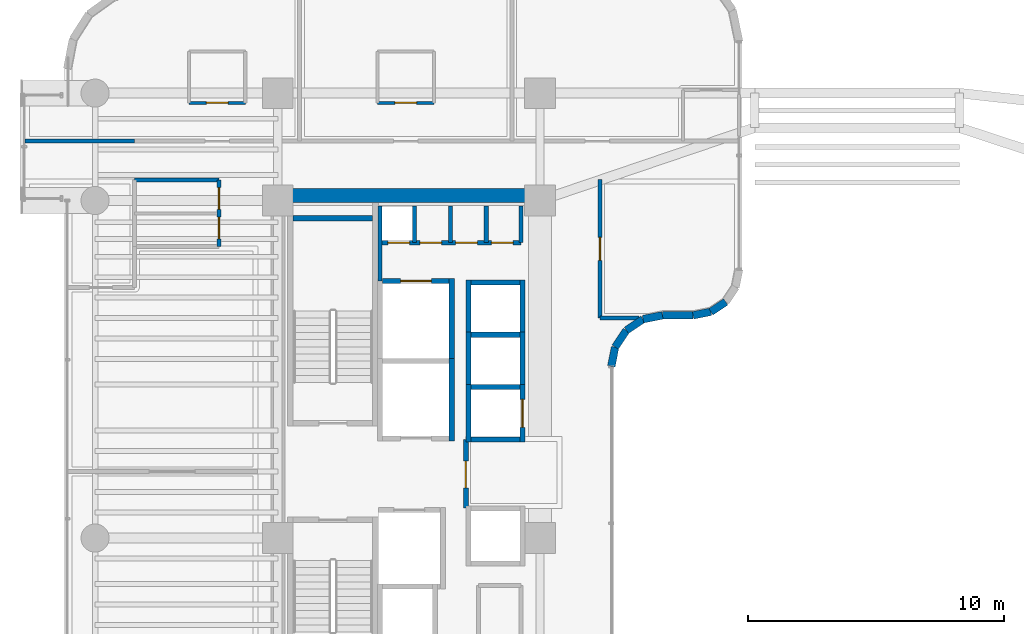
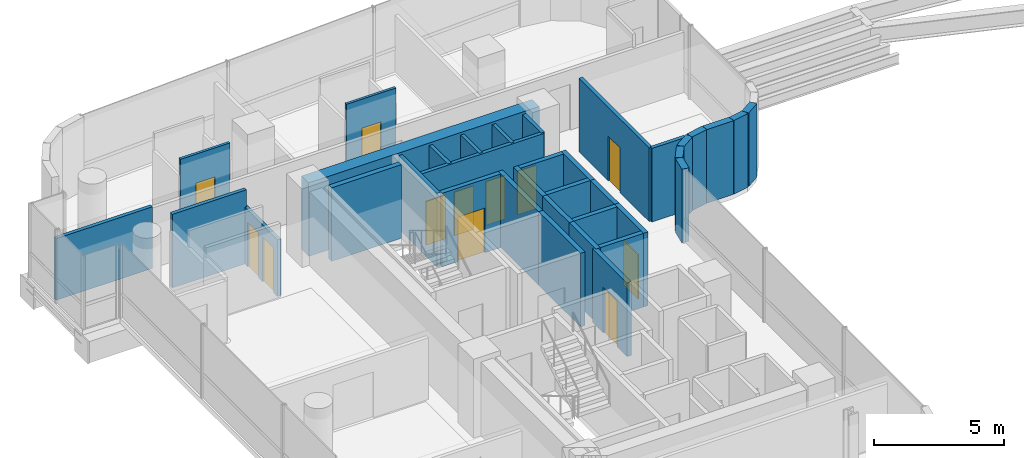
# One storey, part 29 of 36: 36 walls, 12 doors, 12 openings.
"""IFC4 building model written with IfcOpenShell, lengths in metres."""

from ifc_helpers import new_model, si_unit, direction, frame, frame_2d, origin, place, context, subcontext, project, spatial, rectangle, extrude, material, layer, layer_set, type_object, element, fill, save


model = new_model("IFC4")

# Units and contexts
model_context = context("Model", 3, precision=1e-05, world=origin(), true_north=direction((0.0, 1.0)))
body_context = subcontext(model_context, "Body", "Model", "MODEL_VIEW")
ifc_project = project(units=[si_unit("LENGTHUNIT", "METRE"), si_unit("AREAUNIT", "SQUARE_METRE"), si_unit("VOLUMEUNIT", "CUBIC_METRE"), si_unit("PLANEANGLEUNIT", "RADIAN"), si_unit("MASSUNIT", "GRAM", prefix="KILO")], contexts=[model_context])

# Site, building, storey
site_placement = place(None, origin())
site = spatial("IfcSite", under=ifc_project, at=site_placement, CompositionType="ELEMENT")
building_placement = place(site_placement, origin())
building = spatial("IfcBuilding", under=site, at=building_placement, Name="Valdorenza Pilgrim Sanctuary Tower", CompositionType="ELEMENT")
storey_placement = place(building_placement, frame((0.0, 0.0, 153.800048828125)))
storey = spatial("IfcBuildingStorey", under=building, at=storey_placement, Name="L39", CompositionType="ELEMENT", Elevation=153.800048828125)

# Wall
ifc_material_1 = material(Name="Acoustic twin-stud gypsum partition", Category="gypsum")
ifc_layer_1 = layer(ifc_material_1, 0.159912109375, Name="Acoustic twin-stud gypsum partition")
ifc_layer_set_1 = layer_set([ifc_layer_1], Name="Acoustic twin-stud gypsum partition")
wall_type_1 = type_object("IfcWallType", Name="WAL-COR-160", PredefinedType="PARTITIONING", material=ifc_layer_set_1)
wall_1_placement = place(storey_placement, frame((-18.64990234375, 7.449951171875, 0.0), z_axis=(0.0, 0.0, 1.0), x_axis=(0.0, 1.0, 0.0)))
element("IfcWall", 1, at=wall_1_placement, inside=storey, type_object=wall_type_1, Name="L39 Core A North Service West Wall", PredefinedType="PARTITIONING", context=body_context, shape_type="SweptSolid", body=[
    extrude(rectangle(XDim=2.929931640625, YDim=0.159912109375, at=frame_2d((1.46484375, 0.0))), origin(), (0.0, 0.0, 1.0), 3.4599609375),
])

# Wall, openings, doors
wall_2_placement = place(storey_placement, frame((-18.64990234375, 8.949951171875, 0.0), z_axis=(0.0, 0.0, 1.0), x_axis=(1.0, 0.0, 0.0)))
wall_2 = element("IfcWall", 2, at=wall_2_placement, inside=storey, type_object=wall_type_1, Name="L39 Core A North Service South Wall", PredefinedType="PARTITIONING", context=body_context, shape_type="SweptSolid", body=[
    extrude(rectangle(XDim=5.5, YDim=0.159912109375, at=frame_2d((2.75, 0.0))), origin(), (0.0, 0.0, 1.0), 3.4599609375),
])
opening_1_placement = place(wall_2_placement, frame((0.300048828125, 0.0, 0.0)))
opening_1 = element("IfcOpeningElement", 3, at=opening_1_placement, cuts=wall_2, Name="Opening DR-RS1", PredefinedType="OPENING", context=body_context, shape_type="SweptSolid", body=[
    extrude(rectangle(XDim=0.85009765625, YDim=2.050048828125, at=frame_2d((0.425048828125, 1.02490234375))), frame((0.0, 0.0947265625, 0.0), z_axis=(0.0, -1.0, 0.0), x_axis=(1.0, 0.0, 0.0)), (0.0, 0.0, 1.0), 0.189697265625),
])
opening_2_placement = place(wall_2_placement, frame((1.550048828125, 0.0, 0.0)))
opening_2 = element("IfcOpeningElement", 4, at=opening_2_placement, cuts=wall_2, Name="Opening DR-RS1", PredefinedType="OPENING", context=body_context, shape_type="SweptSolid", body=[
    extrude(rectangle(XDim=0.85009765625, YDim=2.050048828125, at=frame_2d((0.425048828125, 1.02490234375))), frame((0.0, 0.0947265625, 0.0), z_axis=(0.0, -1.0, 0.0), x_axis=(1.0, 0.0, 0.0)), (0.0, 0.0, 1.0), 0.189697265625),
])
opening_3_placement = place(wall_2_placement, frame((2.949951171875, 0.0, 0.0)))
opening_3 = element("IfcOpeningElement", 5, at=opening_3_placement, cuts=wall_2, Name="Opening DR-RS1", PredefinedType="OPENING", context=body_context, shape_type="SweptSolid", body=[
    extrude(rectangle(XDim=0.85009765625, YDim=2.050048828125, at=frame_2d((0.425048828125, 1.02490234375))), frame((0.0, 0.0947265625, 0.0), z_axis=(0.0, -1.0, 0.0), x_axis=(1.0, 0.0, 0.0)), (0.0, 0.0, 1.0), 0.189697265625),
])
opening_4_placement = place(wall_2_placement, frame((4.35009765625, 0.0, 0.0)))
opening_4 = element("IfcOpeningElement", 6, at=opening_4_placement, cuts=wall_2, Name="Opening DR-RS1", PredefinedType="OPENING", context=body_context, shape_type="SweptSolid", body=[
    extrude(rectangle(XDim=0.85009765625, YDim=2.050048828125, at=frame_2d((0.425048828125, 1.02490234375))), frame((0.0, 0.0947265625, 0.0), z_axis=(0.0, -1.0, 0.0), x_axis=(1.0, 0.0, 0.0)), (0.0, 0.0, 1.0), 0.189697265625),
])
ifc_material_2 = material(Name="Painted galvanized steel", Category="steel")
door_type_1 = type_object("IfcDoorType", Name="DR-RSR-850", OperationType="NOTDEFINED", PredefinedType="DOOR", material=ifc_material_2)
door_1_placement = place(opening_1_placement, origin())
door_1 = element("IfcDoor", 7, at=door_1_placement, inside=storey, type_object=door_type_1, Name="L39 Core Electrical and Telecom Riser Door", OperationType="SINGLE_SWING_LEFT", OverallHeight=2.050048828125, OverallWidth=0.85009765625, PredefinedType="DOOR", context=body_context, shape_type="SweptSolid", body=[
    extrude(rectangle(XDim=0.85009765625, YDim=2.050048828125, at=frame_2d((0.425048828125, 1.02490234375))), frame((0.0, 0.02490234375, 0.0), z_axis=(0.0, -1.0, 0.0), x_axis=(1.0, 0.0, 0.0)), (0.0, 0.0, 1.0), 0.050048828125),
])
fill(opening_1, door_1)
door_2_placement = place(opening_2_placement, origin())
door_2 = element("IfcDoor", 8, at=door_2_placement, inside=storey, type_object=door_type_1, Name="L39 Housekeeping and Clean Linen Room Door", OperationType="SINGLE_SWING_RIGHT", OverallHeight=2.050048828125, OverallWidth=0.85009765625, PredefinedType="DOOR", context=body_context, shape_type="SweptSolid", body=[
    extrude(rectangle(XDim=0.85009765625, YDim=2.050048828125, at=frame_2d((0.425048828125, 1.02490234375))), frame((0.0, 0.02490234375, 0.0), z_axis=(0.0, -1.0, 0.0), x_axis=(1.0, 0.0, 0.0)), (0.0, 0.0, 1.0), 0.050048828125),
])
fill(opening_2, door_2)
door_3_placement = place(opening_3_placement, origin())
door_3 = element("IfcDoor", 9, at=door_3_placement, inside=storey, type_object=door_type_1, Name="L39 Core IT Server Closet Door", OperationType="SINGLE_SWING_LEFT", OverallHeight=2.050048828125, OverallWidth=0.85009765625, PredefinedType="DOOR", context=body_context, shape_type="SweptSolid", body=[
    extrude(rectangle(XDim=0.85009765625, YDim=2.050048828125, at=frame_2d((0.425048828125, 1.02490234375))), frame((0.0, 0.02490234375, 0.0), z_axis=(0.0, -1.0, 0.0), x_axis=(1.0, 0.0, 0.0)), (0.0, 0.0, 1.0), 0.050048828125),
])
fill(opening_3, door_3)
door_4_placement = place(opening_4_placement, origin())
door_4 = element("IfcDoor", 10, at=door_4_placement, inside=storey, type_object=door_type_1, Name="L39 Core Staff Washroom Door", OperationType="SINGLE_SWING_RIGHT", OverallHeight=2.050048828125, OverallWidth=0.85009765625, PredefinedType="DOOR", context=body_context, shape_type="SweptSolid", body=[
    extrude(rectangle(XDim=0.85009765625, YDim=2.050048828125, at=frame_2d((0.425048828125, 1.02490234375))), frame((0.0, 0.02490234375, 0.0), z_axis=(0.0, -1.0, 0.0), x_axis=(1.0, 0.0, 0.0)), (0.0, 0.0, 1.0), 0.050048828125),
])
fill(opening_4, door_4)

# Walls
for number, where, z_axis, x_axis, name in (
    (11, (-13.14990234375, 8.949951171875, 0.0), (0.0, 0.0, 1.0), (0.0, 1.0, 0.0), "L39 Core A North Service East Wall"),
    (12, (-17.300048828125, 8.949951171875, 0.0), (0.0, 0.0, 1.0), (0.0, 1.0, 0.0), "L39 Core Electrical Riser Wall"),
    (13, (-15.89990234375, 8.949951171875, 0.0), (0.0, 0.0, 1.0), (0.0, 1.0, 0.0), "L39 Core A Split D1"),
    (14, (-14.5, 8.949951171875, 0.0), (0.0, 0.0, 1.0), (0.0, 1.0, 0.0), "L39 Core A Split D2"),
):
    element("IfcWall", number, at=place(storey_placement, frame(where, z_axis=z_axis, x_axis=x_axis)), inside=storey, type_object=wall_type_1, Name=name, PredefinedType="PARTITIONING", context=body_context, shape_type="SweptSolid", body=[
        extrude(rectangle(XDim=1.429931640625, YDim=0.159912109375, at=frame_2d((0.71484375, 0.0))), origin(), (0.0, 0.0, 1.0), 3.4599609375),
    ])

# Wall, openings, doors
wall_3_placement = place(storey_placement, frame((-24.949951171875, 8.800048828125, 0.0), z_axis=(0.0, 0.0, 1.0), x_axis=(0.0, 1.0, 0.0)))
wall_3 = element("IfcWall", 15, at=wall_3_placement, inside=storey, type_object=wall_type_1, Name="L39 Washroom East Wall", PredefinedType="PARTITIONING", context=body_context, shape_type="SweptSolid", body=[
    extrude(rectangle(XDim=2.599853515625, YDim=0.159912109375, at=frame_2d((1.2998046875, 0.0))), origin(), (0.0, 0.0, 1.0), 2.666015625),
])
opening_5_placement = place(wall_3_placement, frame((0.300048828125, 0.0, 0.0)))
opening_5 = element("IfcOpeningElement", 16, at=opening_5_placement, cuts=wall_3, Name="Opening DR-WC1", PredefinedType="OPENING", context=body_context, shape_type="SweptSolid", body=[
    extrude(rectangle(XDim=0.85009765625, YDim=2.10009765625, at=frame_2d((0.425048828125, 1.050048828125))), frame((0.0, 0.0947265625, 0.0), z_axis=(0.0, -1.0, 0.0), x_axis=(1.0, 0.0, 0.0)), (0.0, 0.0, 1.0), 0.189697265625),
])
opening_6_placement = place(wall_3_placement, frame((1.449951171875, 0.0, 0.0)))
opening_6 = element("IfcOpeningElement", 17, at=opening_6_placement, cuts=wall_3, Name="Opening DR-WC1", PredefinedType="OPENING", context=body_context, shape_type="SweptSolid", body=[
    extrude(rectangle(XDim=0.85009765625, YDim=2.10009765625, at=frame_2d((0.425048828125, 1.050048828125))), frame((0.0, 0.0947265625, 0.0), z_axis=(0.0, -1.0, 0.0), x_axis=(1.0, 0.0, 0.0)), (0.0, 0.0, 1.0), 0.189697265625),
])
ifc_material_3 = material(Name="Moisture-resistant lacquered timber", Category="wood")
door_type_2 = type_object("IfcDoorType", Name="DR-BATH-850", OperationType="NOTDEFINED", PredefinedType="DOOR", material=ifc_material_3)
door_5_placement = place(opening_5_placement, origin())
door_5 = element("IfcDoor", 18, at=door_5_placement, inside=storey, type_object=door_type_2, Name="L39 Accessible Washroom Door", OperationType="SINGLE_SWING_RIGHT", OverallHeight=2.10009765625, OverallWidth=0.85009765625, PredefinedType="DOOR", context=body_context, shape_type="SweptSolid", body=[
    extrude(rectangle(XDim=0.85009765625, YDim=2.10009765625, at=frame_2d((0.425048828125, 1.050048828125))), frame((0.0, 0.02490234375, 0.0), z_axis=(0.0, -1.0, 0.0), x_axis=(1.0, 0.0, 0.0)), (0.0, 0.0, 1.0), 0.050048828125),
])
fill(opening_5, door_5)
door_6_placement = place(opening_6_placement, origin())
door_6 = element("IfcDoor", 19, at=door_6_placement, inside=storey, type_object=door_type_2, Name="L39 Public Washroom Door", OperationType="SINGLE_SWING_LEFT", OverallHeight=2.10009765625, OverallWidth=0.85009765625, PredefinedType="DOOR", context=body_context, shape_type="SweptSolid", body=[
    extrude(rectangle(XDim=0.85009765625, YDim=2.10009765625, at=frame_2d((0.425048828125, 1.050048828125))), frame((0.0, 0.02490234375, 0.0), z_axis=(0.0, -1.0, 0.0), x_axis=(1.0, 0.0, 0.0)), (0.0, 0.0, 1.0), 0.050048828125),
])
fill(opening_6, door_6)

# Walls
wall_4_placement = place(storey_placement, frame((-28.25, 11.39990234375, 0.0), z_axis=(0.0, 0.0, 1.0), x_axis=(1.0, 0.0, 0.0)))
element("IfcWall", 20, at=wall_4_placement, inside=storey, type_object=wall_type_1, Name="L39 Washroom North Wall", PredefinedType="PARTITIONING", context=body_context, shape_type="SweptSolid", body=[
    extrude(rectangle(XDim=3.300048828125, YDim=0.159912109375, at=frame_2d((1.64990234375, 0.0))), origin(), (0.0, 0.0, 1.0), 3.4599609375),
])
wall_5_placement = place(storey_placement, frame((-32.5400390625, 12.919921875, 0.0), z_axis=(0.0, 0.0, 1.0), x_axis=(1.0, 0.0, 0.0)))
element("IfcWall", 21, at=wall_5_placement, inside=storey, type_object=wall_type_1, Name="L39 Cloister North Solid Partition", PredefinedType="PARTITIONING", context=body_context, shape_type="SweptSolid", body=[
    extrude(rectangle(XDim=4.2900390625, YDim=0.159912109375, at=frame_2d((2.14501953125, 0.0))), origin(), (0.0, 0.0, 1.0), 2.89599609375),
])

# Wall, opening, door
wall_6_placement = place(storey_placement, frame((-10.050048828125, 6.0, 0.0), z_axis=(0.0, 0.0, 1.0), x_axis=(0.0, 1.0, 0.0)))
wall_6 = element("IfcWall", 22, at=wall_6_placement, inside=storey, type_object=wall_type_1, Name="L39 East Stub Corridor Wall", PredefinedType="PARTITIONING", context=body_context, shape_type="SweptSolid", body=[
    extrude(rectangle(XDim=5.419921875, YDim=0.159912109375, at=frame_2d((2.7099609375, 0.0))), origin(), (0.0, 0.0, 1.0), 3.4599609375),
])
opening_7_placement = place(wall_6_placement, frame((2.260009765625, 0.0, 0.0)))
opening_7 = element("IfcOpeningElement", 23, at=opening_7_placement, cuts=wall_6, Name="Opening DR-RM1", PredefinedType="OPENING", context=body_context, shape_type="SweptSolid", body=[
    extrude(rectangle(XDim=0.89990234375, YDim=2.10009765625, at=frame_2d((0.449951171875, 1.050048828125))), frame((0.0, 0.0947265625, 0.0), z_axis=(0.0, -1.0, 0.0), x_axis=(1.0, 0.0, 0.0)), (0.0, 0.0, 1.0), 0.189697265625),
])
ifc_material_4 = material(Name="Solid-core European oak timber", Category="wood")
door_type_3 = type_object("IfcDoorType", Name="DR-ROOM-900", OperationType="NOTDEFINED", PredefinedType="DOOR", material=ifc_material_4)
door_7_placement = place(opening_7_placement, frame((0.89990234375, 0.0, 0.0), z_axis=(0.0, 0.0, 1.0), x_axis=(-1.0, 0.0, 0.0)))
door_7 = element("IfcDoor", 24, at=door_7_placement, inside=storey, type_object=door_type_3, Name="L39 Sacred Art Exhibition Gallery L39-E1 Door", OperationType="SINGLE_SWING_LEFT", OverallHeight=2.10009765625, OverallWidth=0.89990234375, PredefinedType="DOOR", context=body_context, shape_type="SweptSolid", body=[
    extrude(rectangle(XDim=0.89990234375, YDim=2.10009765625, at=frame_2d((0.449951171875, 1.050048828125))), frame((0.0, 0.02490234375, 0.0), z_axis=(0.0, -1.0, 0.0), x_axis=(1.0, 0.0, 0.0)), (0.0, 0.0, 1.0), 0.050048828125),
])
fill(opening_7, door_7)

# Walls
wall_7_placement = place(storey_placement, frame((-10.050048828125, 6.0, 0.0), z_axis=(0.0, 0.0, 1.0), x_axis=(1.0, 0.0, 0.0)))
element("IfcWall", 25, at=wall_7_placement, inside=storey, type_object=wall_type_1, Name="L39 East Stub South Wall", PredefinedType="PARTITIONING", context=body_context, shape_type="SweptSolid", body=[
    extrude(rectangle(XDim=1.516357421875, YDim=0.159912109375, at=frame_2d((0.75830078125, 0.0))), origin(), (0.0, 0.0, 1.0), 3.4599609375),
])
ifc_material_5 = material(Name="Concrete C50/60", Category="concrete")
ifc_layer_2 = layer(ifc_material_5, 0.550048828125, Name="Concrete C50/60")
ifc_layer_set_2 = layer_set([ifc_layer_2], Name="Concrete C50/60")
wall_type_2 = type_object("IfcWallType", Name="WAL-COR-550", PredefinedType="SHEAR", material=ifc_layer_set_2)
wall_8_placement = place(storey_placement, frame((-22.64990234375, 10.800048828125, 0.0), z_axis=(0.0, 0.0, 1.0), x_axis=(1.0, 0.0, 0.0)))
element("IfcWall", 26, at=wall_8_placement, inside=storey, type_object=wall_type_2, Name="L39 Split Core A Shear Wall N", PredefinedType="SHEAR", context=body_context, shape_type="SweptSolid", body=[
    extrude(rectangle(XDim=10.25, YDim=0.550048828125, at=frame_2d((5.125, 0.0))), origin(), (0.0, 0.0, 1.0), 3.4599609375),
])
ifc_material_6 = material(Name="Honed travertine limestone", Category="masonry")
ifc_layer_3 = layer(ifc_material_6, 0.300048828125, Name="Honed travertine limestone")
ifc_layer_set_3 = layer_set([ifc_layer_3], Name="Honed travertine limestone")
wall_type_3 = type_object("IfcWallType", Name="WAL-EXT-300", PredefinedType="SOLIDWALL", material=ifc_layer_set_3)
wall_9_placement = place(storey_placement, frame((-5.1357421875, 6.6357421875, 0.0), z_axis=(0.0, 0.0, 1.0), x_axis=(-0.831565381614, -0.555426877366, 0.0)))
element("IfcWall", 27, at=wall_9_placement, inside=storey, type_object=wall_type_3, Name="L39 Rounded Wind-Corner Stone Pier 14", PredefinedType="SOLIDWALL", context=body_context, shape_type="SweptSolid", body=[
    extrude(rectangle(XDim=0.697509765625, YDim=0.300048828125, at=frame_2d((0.3486328125, 0.0))), origin(), (0.0, 0.0, 1.0), 3.4599609375),
])
wall_10_placement = place(storey_placement, frame((-5.7158203125, 6.248291015625, 0.0), z_axis=(0.0, 0.0, 1.0), x_axis=(-0.980805282058, -0.194989739953, 0.0)))
element("IfcWall", 28, at=wall_10_placement, inside=storey, type_object=wall_type_3, Name="L39 Rounded Wind-Corner Stone Pier 15", PredefinedType="SOLIDWALL", context=body_context, shape_type="SweptSolid", body=[
    extrude(rectangle(XDim=0.708740234375, YDim=0.300048828125, at=frame_2d((0.3544921875, 0.0))), origin(), (0.0, 0.0, 1.0), 3.4599609375),
])
wall_11_placement = place(storey_placement, frame((-6.410888671875, 6.110107421875, 0.0), z_axis=(0.0, 0.0, 1.0), x_axis=(-1.0, 0.0, 0.0)))
element("IfcWall", 29, at=wall_11_placement, inside=storey, type_object=wall_type_3, Name="L39 Rounded Wind-Corner Stone Pier 16", PredefinedType="SOLIDWALL", context=body_context, shape_type="SweptSolid", body=[
    extrude(rectangle(XDim=1.199951171875, YDim=0.300048828125, at=frame_2d((0.60009765625, 0.0))), origin(), (0.0, 0.0, 1.0), 3.4599609375),
])
wall_12_placement = place(storey_placement, frame((-7.61083984375, 6.110107421875, 0.0), z_axis=(0.0, 0.0, 1.0), x_axis=(-0.98076219082, -0.195206365311, 0.0)))
element("IfcWall", 30, at=wall_12_placement, inside=storey, type_object=wall_type_3, Name="L39 Rounded Wind-Corner Stone Pier 17", PredefinedType="SOLIDWALL", context=body_context, shape_type="SweptSolid", body=[
    extrude(rectangle(XDim=0.774169921875, YDim=0.300048828125, at=frame_2d((0.38720703125, 0.0))), origin(), (0.0, 0.0, 1.0), 3.4599609375),
])
for number, where, z_axis, x_axis, name in (
    (31, (-8.3701171875, 5.958984375, 0.0), (0.0, 0.0, 1.0), (-0.831331880615, -0.555776307766, 0.0), "L39 Rounded Wind-Corner Stone Pier 18"),
    (32, (-9.022705078125, 5.522705078125, 0.0), (0.0, 0.0, 1.0), (-0.555776307766, -0.831331880615, 0.0), "L39 Rounded Wind-Corner Stone Pier 19"),
):
    element("IfcWall", number, at=place(storey_placement, frame(where, z_axis=z_axis, x_axis=x_axis)), inside=storey, type_object=wall_type_3, Name=name, PredefinedType="SOLIDWALL", context=body_context, shape_type="SweptSolid", body=[
        extrude(rectangle(XDim=0.784912109375, YDim=0.300048828125, at=frame_2d((0.392578125, 0.0))), origin(), (0.0, 0.0, 1.0), 3.4599609375),
    ])
wall_13_placement = place(storey_placement, frame((-9.458984375, 4.8701171875, 0.0), z_axis=(0.0, 0.0, 1.0), x_axis=(-0.195206365311, -0.98076219082, 0.0)))
element("IfcWall", 33, at=wall_13_placement, inside=storey, type_object=wall_type_3, Name="L39 Rounded Wind-Corner Stone Pier 20", PredefinedType="SOLIDWALL", context=body_context, shape_type="SweptSolid", body=[
    extrude(rectangle(XDim=0.774169921875, YDim=0.300048828125, at=frame_2d((0.38720703125, 0.0))), origin(), (0.0, 0.0, 1.0), 3.4599609375),
])

# Wall, opening, door
ifc_material_7 = material(Name="Gypsum shaftwall partition", Category="gypsum")
ifc_layer_4 = layer(ifc_material_7, 0.199951171875, Name="Gypsum shaftwall partition")
ifc_layer_set_4 = layer_set([ifc_layer_4], Name="Gypsum shaftwall partition")
wall_type_4 = type_object("IfcWallType", Name="WAL-FFL-200", PredefinedType="PARTITIONING", material=ifc_layer_set_4)
wall_14_placement = place(storey_placement, frame((-15.300048828125, -1.419921875, 0.0), z_axis=(0.0, 0.0, 1.0), x_axis=(0.0, 1.0, 0.0)))
wall_14 = element("IfcWall", 34, at=wall_14_placement, inside=storey, type_object=wall_type_4, Name="L39 Core A Firefighting Lobby East Wall", PredefinedType="PARTITIONING", context=body_context, shape_type="SweptSolid", body=[
    extrude(rectangle(XDim=2.669921875, YDim=0.199951171875, at=frame_2d((1.3349609375, 0.0))), origin(), (0.0, 0.0, 1.0), 3.4599609375),
])
opening_8_placement = place(wall_14_placement, frame((0.780029296875, 0.0, 0.0)))
opening_8 = element("IfcOpeningElement", 35, at=opening_8_placement, cuts=wall_14, Name="Opening DR-FL1", PredefinedType="OPENING", context=body_context, shape_type="SweptSolid", body=[
    extrude(rectangle(XDim=1.050048828125, YDim=2.14990234375, at=frame_2d((0.52490234375, 1.074951171875))), frame((0.0, 0.11474609375, 0.0), z_axis=(0.0, -1.0, 0.0), x_axis=(1.0, 0.0, 0.0)), (0.0, 0.0, 1.0), 0.229736328125),
])
door_type_4 = type_object("IfcDoorType", Name="DR-FFL-1050", OperationType="NOTDEFINED", PredefinedType="DOOR", material=ifc_material_2)
door_8_placement = place(opening_8_placement, origin())
door_8 = element("IfcDoor", 36, at=door_8_placement, inside=storey, type_object=door_type_4, Name="L39 Core A Firefighting Lobby Door", OperationType="SINGLE_SWING_RIGHT", OverallHeight=2.14990234375, OverallWidth=1.050048828125, PredefinedType="DOOR", context=body_context, shape_type="SweptSolid", body=[
    extrude(rectangle(XDim=1.050048828125, YDim=2.14990234375, at=frame_2d((0.52490234375, 1.074951171875))), frame((0.0, 0.02490234375, 0.0), z_axis=(0.0, -1.0, 0.0), x_axis=(1.0, 0.0, 0.0)), (0.0, 0.0, 1.0), 0.050048828125),
])
fill(opening_8, door_8)

ifc_material_8 = material(Name="Moisture-resistant gypsum partition", Category="gypsum")
ifc_layer_5 = layer(ifc_material_8, 0.1201171875, Name="Moisture-resistant gypsum partition")
ifc_layer_set_5 = layer_set([ifc_layer_5], Name="Moisture-resistant gypsum partition")
wall_type_5 = type_object("IfcWallType", Name="WAL-INT-120", PredefinedType="PARTITIONING", material=ifc_layer_set_5)
wall_15_placement = place(storey_placement, frame((-26.125, 14.419921875, 0.0), z_axis=(0.0, 0.0, 1.0), x_axis=(1.0, 0.0, 0.0)))
wall_15 = element("IfcWall", 37, at=wall_15_placement, inside=storey, type_object=wall_type_5, Name="L39 North Guest Room L39-N1 En-suite Door Wall", PredefinedType="PARTITIONING", context=body_context, shape_type="SweptSolid", body=[
    extrude(rectangle(XDim=2.199951171875, YDim=0.1201171875, at=frame_2d((1.10009765625, 0.0))), origin(), (0.0, 0.0, 1.0), 3.4599609375),
])
opening_9_placement = place(wall_15_placement, frame((0.675048828125, 0.0, 0.0)))
opening_9 = element("IfcOpeningElement", 38, at=opening_9_placement, cuts=wall_15, Name="Opening DR-WC1", PredefinedType="OPENING", context=body_context, shape_type="SweptSolid", body=[
    extrude(rectangle(XDim=0.85009765625, YDim=2.10009765625, at=frame_2d((0.425048828125, 1.050048828125))), frame((0.0, 0.074951171875, 0.0), z_axis=(0.0, -1.0, 0.0), x_axis=(1.0, 0.0, 0.0)), (0.0, 0.0, 1.0), 0.14990234375),
])
door_9_placement = place(opening_9_placement, origin())
door_9 = element("IfcDoor", 39, at=door_9_placement, inside=storey, type_object=door_type_2, Name="L39 North Guest Room L39-N1 En-suite Bathroom Door", OperationType="SINGLE_SWING_RIGHT", OverallHeight=2.10009765625, OverallWidth=0.85009765625, PredefinedType="DOOR", context=body_context, shape_type="SweptSolid", body=[
    extrude(rectangle(XDim=0.85009765625, YDim=2.10009765625, at=frame_2d((0.425048828125, 1.050048828125))), frame((0.0, 0.02490234375, 0.0), z_axis=(0.0, -1.0, 0.0), x_axis=(1.0, 0.0, 0.0)), (0.0, 0.0, 1.0), 0.050048828125),
])
fill(opening_9, door_9)

wall_16_placement = place(storey_placement, frame((-18.75, 14.419921875, 0.0), z_axis=(0.0, 0.0, 1.0), x_axis=(1.0, 0.0, 0.0)))
wall_16 = element("IfcWall", 40, at=wall_16_placement, inside=storey, type_object=wall_type_5, Name="L39 North Guest Room L39-N2 En-suite Door Wall", PredefinedType="PARTITIONING", context=body_context, shape_type="SweptSolid", body=[
    extrude(rectangle(XDim=2.199951171875, YDim=0.1201171875, at=frame_2d((1.10009765625, 0.0))), origin(), (0.0, 0.0, 1.0), 3.4599609375),
])
opening_10_placement = place(wall_16_placement, frame((0.675048828125, 0.0, 0.0)))
opening_10 = element("IfcOpeningElement", 41, at=opening_10_placement, cuts=wall_16, Name="Opening DR-WC1", PredefinedType="OPENING", context=body_context, shape_type="SweptSolid", body=[
    extrude(rectangle(XDim=0.85009765625, YDim=2.10009765625, at=frame_2d((0.425048828125, 1.050048828125))), frame((0.0, 0.074951171875, 0.0), z_axis=(0.0, -1.0, 0.0), x_axis=(1.0, 0.0, 0.0)), (0.0, 0.0, 1.0), 0.14990234375),
])
door_10_placement = place(opening_10_placement, origin())
door_10 = element("IfcDoor", 42, at=door_10_placement, inside=storey, type_object=door_type_2, Name="L39 North Guest Room L39-N2 En-suite Bathroom Door", OperationType="SINGLE_SWING_RIGHT", OverallHeight=2.10009765625, OverallWidth=0.85009765625, PredefinedType="DOOR", context=body_context, shape_type="SweptSolid", body=[
    extrude(rectangle(XDim=0.85009765625, YDim=2.10009765625, at=frame_2d((0.425048828125, 1.050048828125))), frame((0.0, 0.02490234375, 0.0), z_axis=(0.0, -1.0, 0.0), x_axis=(1.0, 0.0, 0.0)), (0.0, 0.0, 1.0), 0.050048828125),
])
fill(opening_10, door_10)

# Walls
ifc_material_9 = material(Name="Autoclaved aerated concrete blockwork", Category="masonry")
ifc_layer_6 = layer(ifc_material_9, 0.199951171875, Name="Autoclaved aerated concrete blockwork")
ifc_layer_set_6 = layer_set([ifc_layer_6], Name="Autoclaved aerated concrete blockwork")
wall_type_6 = type_object("IfcWallType", Name="WAL-SHF-200", PredefinedType="MOVABLE", material=ifc_layer_set_6)
wall_17_placement = place(storey_placement, frame((-15.85009765625, 1.199951171875, 0.0), z_axis=(0.0, 0.0, 1.0), x_axis=(0.0, 1.0, 0.0)))
element("IfcWall", 43, at=wall_17_placement, inside=storey, type_object=wall_type_6, Name="L39 Lift FFL-01 Hoistway Wall East", PredefinedType="MOVABLE", context=body_context, shape_type="SweptSolid", body=[
    extrude(rectangle(XDim=3.22509765625, YDim=0.199951171875, at=frame_2d((1.612548828125, 0.0))), origin(), (0.0, 0.0, 1.0), 3.4599609375),
])
wall_18_placement = place(storey_placement, frame((-15.85009765625, 4.22509765625, 0.0), z_axis=(0.0, 0.0, 1.0), x_axis=(0.0, 1.0, 0.0)))
element("IfcWall", 44, at=wall_18_placement, inside=storey, type_object=wall_type_6, Name="L39 Lift SVL-01 Hoistway Wall East", PredefinedType="MOVABLE", context=body_context, shape_type="SweptSolid", body=[
    extrude(rectangle(XDim=3.324951171875, YDim=0.199951171875, at=frame_2d((1.66259765625, 0.0))), origin(), (0.0, 0.0, 1.0), 3.4599609375),
])

# Wall, opening, door
wall_19_placement = place(storey_placement, frame((-18.550048828125, 7.449951171875, 0.0), z_axis=(0.0, 0.0, 1.0), x_axis=(1.0, 0.0, 0.0)))
wall_19 = element("IfcWall", 45, at=wall_19_placement, inside=storey, type_object=wall_type_6, Name="L39 Lift SVL-01 Hoistway Wall North", PredefinedType="MOVABLE", context=body_context, shape_type="SweptSolid", body=[
    extrude(rectangle(XDim=2.60009765625, YDim=0.199951171875, at=frame_2d((1.300048828125, 0.0))), origin(), (0.0, 0.0, 1.0), 3.4599609375),
])
opening_11_placement = place(wall_19_placement, frame((0.699951171875, 0.0, 0.0)))
opening_11 = element("IfcOpeningElement", 46, at=opening_11_placement, cuts=wall_19, Name="Opening LD-02", PredefinedType="OPENING", context=body_context, shape_type="SweptSolid", body=[
    extrude(rectangle(XDim=1.199951171875, YDim=2.10009765625, at=frame_2d((0.60009765625, 1.050048828125))), frame((0.0, 0.11474609375, 0.0), z_axis=(0.0, -1.0, 0.0), x_axis=(1.0, 0.0, 0.0)), (0.0, 0.0, 1.0), 0.229736328125),
])
ifc_material_10 = material(Name="Brushed stainless steel Grade 316", Category="steel")
door_type_5 = type_object("IfcDoorType", Name="DR-LFT-1200", OperationType="DOUBLE_DOOR_SLIDING", PredefinedType="DOOR", material=ifc_material_10)
door_11_placement = place(opening_11_placement, origin())
door_11 = element("IfcDoor", 47, at=door_11_placement, inside=storey, type_object=door_type_5, Name="L39 Lift SVL-01 Sliding Landing Door", OperationType="DOUBLE_DOOR_SLIDING", OverallHeight=2.10009765625, OverallWidth=1.199951171875, PredefinedType="DOOR", context=body_context, shape_type="SweptSolid", body=[
    extrude(rectangle(XDim=1.199951171875, YDim=2.10009765625, at=frame_2d((0.60009765625, 1.050048828125))), frame((0.0, 0.02490234375, 0.0), z_axis=(0.0, -1.0, 0.0), x_axis=(1.0, 0.0, 0.0)), (0.0, 0.0, 1.0), 0.050048828125),
])
fill(opening_11, door_11)

# Wall
wall_20_placement = place(storey_placement, frame((-15.199951171875, 1.14990234375, 0.0), z_axis=(0.0, 0.0, 1.0), x_axis=(0.0, 1.0, 0.0)))
element("IfcWall", 48, at=wall_20_placement, inside=storey, type_object=wall_type_6, Name="L39 Lift PL-06 Hoistway Wall West", PredefinedType="MOVABLE", context=body_context, shape_type="SweptSolid", body=[
    extrude(rectangle(XDim=2.25, YDim=0.199951171875, at=frame_2d((1.125, 0.0))), origin(), (0.0, 0.0, 1.0), 3.4599609375),
])

# Wall, opening, door
wall_21_placement = place(storey_placement, frame((-13.080078125, 1.14990234375, 0.0), z_axis=(0.0, 0.0, 1.0), x_axis=(0.0, 1.0, 0.0)))
wall_21 = element("IfcWall", 49, at=wall_21_placement, inside=storey, type_object=wall_type_6, Name="L39 Lift PL-06 Hoistway Wall East", PredefinedType="MOVABLE", context=body_context, shape_type="SweptSolid", body=[
    extrude(rectangle(XDim=2.25, YDim=0.199951171875, at=frame_2d((1.125, 0.0))), origin(), (0.0, 0.0, 1.0), 3.4599609375),
])
opening_12_placement = place(wall_21_placement, frame((0.574951171875, 0.0, 0.0)))
opening_12 = element("IfcOpeningElement", 50, at=opening_12_placement, cuts=wall_21, Name="Opening LD-01", PredefinedType="OPENING", context=body_context, shape_type="SweptSolid", body=[
    extrude(rectangle(XDim=1.10009765625, YDim=2.10009765625, at=frame_2d((0.550048828125, 1.050048828125))), frame((0.0, 0.11474609375, 0.0), z_axis=(0.0, -1.0, 0.0), x_axis=(1.0, 0.0, 0.0)), (0.0, 0.0, 1.0), 0.229736328125),
])
door_type_6 = type_object("IfcDoorType", Name="DR-LFT-1100", OperationType="DOUBLE_DOOR_SLIDING", PredefinedType="DOOR", material=ifc_material_10)
door_12_placement = place(opening_12_placement, origin())
door_12 = element("IfcDoor", 51, at=door_12_placement, inside=storey, type_object=door_type_6, Name="L39 Lift PL-06 Sliding Landing Door", OperationType="DOUBLE_DOOR_SLIDING", OverallHeight=2.10009765625, OverallWidth=1.10009765625, PredefinedType="DOOR", context=body_context, shape_type="SweptSolid", body=[
    extrude(rectangle(XDim=1.10009765625, YDim=2.10009765625, at=frame_2d((0.550048828125, 1.050048828125))), frame((0.0, 0.02490234375, 0.0), z_axis=(0.0, -1.0, 0.0), x_axis=(1.0, 0.0, 0.0)), (0.0, 0.0, 1.0), 0.050048828125),
])
fill(opening_12, door_12)

# Walls
wall_22_placement = place(storey_placement, frame((-15.10009765625, 1.25, 0.0), z_axis=(0.0, 0.0, 1.0), x_axis=(1.0, 0.0, 0.0)))
element("IfcWall", 52, at=wall_22_placement, inside=storey, type_object=wall_type_6, Name="L39 Lift PL-06 Hoistway Wall South", PredefinedType="MOVABLE", context=body_context, shape_type="SweptSolid", body=[
    extrude(rectangle(XDim=1.920166015625, YDim=0.199951171875, at=frame_2d((0.9599609375, 0.0))), origin(), (0.0, 0.0, 1.0), 3.4599609375),
])
for number, where, z_axis, x_axis, name in (
    (53, (-15.199951171875, 3.199951171875, 0.0), (0.0, 0.0, 1.0), (0.0, 1.0, 0.0), "L39 Lift PL-09 Hoistway Wall West"),
    (54, (-13.080078125, 3.199951171875, 0.0), (0.0, 0.0, 1.0), (0.0, 1.0, 0.0), "L39 Lift PL-09 Hoistway Wall East"),
):
    element("IfcWall", number, at=place(storey_placement, frame(where, z_axis=z_axis, x_axis=x_axis)), inside=storey, type_object=wall_type_6, Name=name, PredefinedType="MOVABLE", context=body_context, shape_type="SweptSolid", body=[
        extrude(rectangle(XDim=2.25, YDim=0.199951171875, at=frame_2d((1.125, 0.0))), origin(), (0.0, 0.0, 1.0), 3.4599609375),
    ])
for number, where, z_axis, x_axis, name in (
    (55, (-15.10009765625, 3.300048828125, 0.0), (0.0, 0.0, 1.0), (1.0, 0.0, 0.0), "L39 Lift PL-09 Hoistway Wall South"),
    (56, (-15.10009765625, 5.35009765625, 0.0), (0.0, 0.0, 1.0), (1.0, 0.0, 0.0), "L39 Lift PL-09 Hoistway Wall North"),
):
    element("IfcWall", number, at=place(storey_placement, frame(where, z_axis=z_axis, x_axis=x_axis)), inside=storey, type_object=wall_type_6, Name=name, PredefinedType="MOVABLE", context=body_context, shape_type="SweptSolid", body=[
        extrude(rectangle(XDim=1.920166015625, YDim=0.199951171875, at=frame_2d((0.9599609375, 0.0))), origin(), (0.0, 0.0, 1.0), 3.4599609375),
    ])
for number, where, z_axis, x_axis, name in (
    (57, (-15.199951171875, 5.25, 0.0), (0.0, 0.0, 1.0), (0.0, 1.0, 0.0), "L39 Lift PL-10 Hoistway Wall West"),
    (58, (-13.080078125, 5.25, 0.0), (0.0, 0.0, 1.0), (0.0, 1.0, 0.0), "L39 Lift PL-10 Hoistway Wall East"),
):
    element("IfcWall", number, at=place(storey_placement, frame(where, z_axis=z_axis, x_axis=x_axis)), inside=storey, type_object=wall_type_6, Name=name, PredefinedType="MOVABLE", context=body_context, shape_type="SweptSolid", body=[
        extrude(rectangle(XDim=2.25, YDim=0.199951171875, at=frame_2d((1.125, 0.0))), origin(), (0.0, 0.0, 1.0), 3.4599609375),
    ])
wall_23_placement = place(storey_placement, frame((-15.10009765625, 7.39990234375, 0.0), z_axis=(0.0, 0.0, 1.0), x_axis=(1.0, 0.0, 0.0)))
element("IfcWall", 59, at=wall_23_placement, inside=storey, type_object=wall_type_6, Name="L39 Lift PL-10 Hoistway Wall North", PredefinedType="MOVABLE", context=body_context, shape_type="SweptSolid", body=[
    extrude(rectangle(XDim=1.920166015625, YDim=0.199951171875, at=frame_2d((0.9599609375, 0.0))), origin(), (0.0, 0.0, 1.0), 3.4599609375),
])
ifc_material_11 = material(Name="Concrete C40/50", Category="concrete")
ifc_layer_7 = layer(ifc_material_11, 0.219970703125, Name="Concrete C40/50")
ifc_layer_set_7 = layer_set([ifc_layer_7], Name="Concrete C40/50")
wall_type_7 = type_object("IfcWallType", Name="WAL-STR-SHF-220", PredefinedType="SHEAR", material=ifc_layer_set_7)
wall_24_placement = place(storey_placement, frame((-22.050048828125, 9.909912109375, 0.0), z_axis=(0.0, 0.0, 1.0), x_axis=(1.0, 0.0, 0.0)))
element("IfcWall", 60, at=wall_24_placement, inside=storey, type_object=wall_type_7, Name="L39 ST-A1 Structural Stairwell Wall N", PredefinedType="SHEAR", context=body_context, shape_type="SweptSolid", body=[
    extrude(rectangle(XDim=3.110107421875, YDim=0.219970703125, at=frame_2d((1.55517578125, 0.0))), origin(), (0.0, 0.0, 1.0), 3.4599609375),
])

save(model, "model.ifc")
